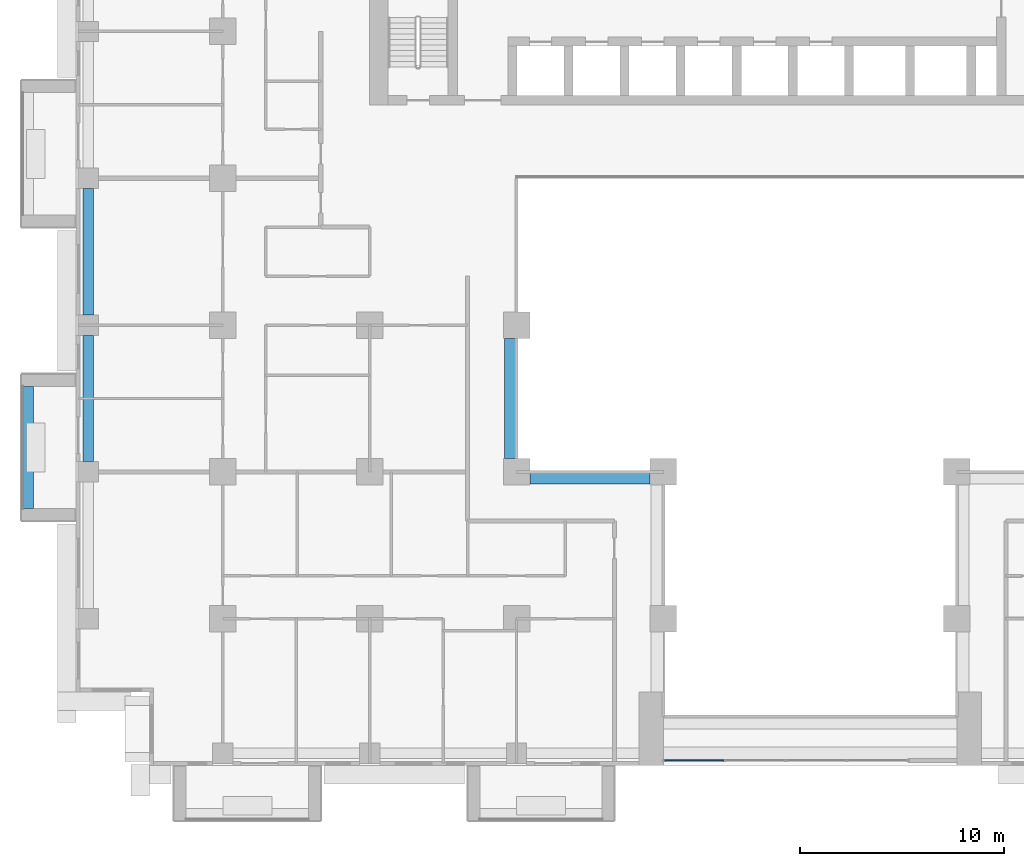
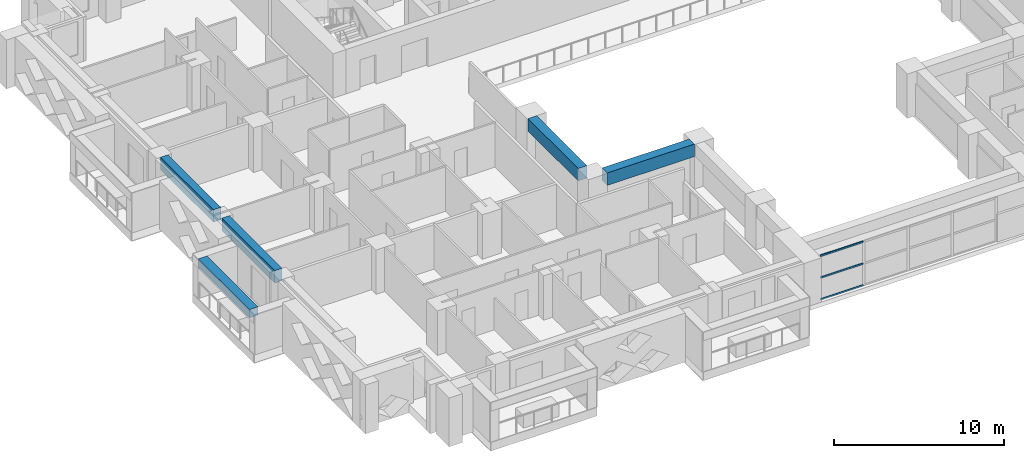
# One storey, part 3 of 17: 5 beams, 3 members, 1 element without a shape of its own.
"""IFC4 building model written with IfcOpenShell, lengths in metres."""

from ifc_helpers import new_model, si_unit, direction, frame, origin, origin_2d, place, context, subcontext, project, spatial, rectangle, extrude, source, transform, mapped, material, layer, layer_set, material_profile, profile_set, type_object, element, aggregate, save


model = new_model("IFC4")

# Units and contexts
model_context = context("Model", 3, precision=1e-05, world=origin(), true_north=direction((0.0, 1.0)))
body_context = subcontext(model_context, "Body", "Model", "MODEL_VIEW")
ifc_project = project(units=[si_unit("LENGTHUNIT", "METRE"), si_unit("AREAUNIT", "SQUARE_METRE"), si_unit("VOLUMEUNIT", "CUBIC_METRE"), si_unit("PLANEANGLEUNIT", "RADIAN"), si_unit("MASSUNIT", "GRAM", prefix="KILO")], contexts=[model_context])

# Site, building, storey
site_placement = place(None, origin())
site = spatial("IfcSite", under=ifc_project, at=site_placement, CompositionType="ELEMENT")
building_placement = place(site_placement, origin())
building = spatial("IfcBuilding", under=site, at=building_placement, Name="Saffron Iwan Residences", CompositionType="ELEMENT")
storey_placement = place(building_placement, frame((0.0, 0.0, 62.0)))
storey = spatial("IfcBuildingStorey", under=building, at=storey_placement, Name="L15", CompositionType="ELEMENT", Elevation=62.0)

# Beams
ifc_material_1 = material(Name="Concrete C60/75", Category="concrete")
ifc_material_profile_1 = material_profile(ifc_material_1, rectangle(XDim=0.5, YDim=0.89990234375, at=origin_2d()), Name="RC 500x900")
ifc_profile_set_1 = profile_set([ifc_material_profile_1], Name="Concrete C60/75")
beam_type_1 = type_object("IfcBeamType", Name="SPANDREL BEAM RC 500x900 C60/75 TOP 3180", PredefinedType="SPANDREL", material=ifc_profile_set_1)
shared_shape_1 = source(origin(), body_context, "Body", "SweptSolid", [
    extrude(rectangle(XDim=0.5, YDim=0.89990234375, at=origin_2d()), origin(), (0.0, 0.0, 1.0), 6.199951171875),
])
for number, where, z_axis, x_axis, name in (
    (1, (15.0, 48.5, 2.72998046875), (0.0, 1.0, 0.0), (-1.0, 0.0, 0.0), "Spandrel beam"),
    (2, (15.0, 55.699951171875, 2.72998046875), (0.0, 1.0, 0.0), (-1.0, 0.0, 0.0), "Spandrel beam"),
):
    element("IfcBeam", number, at=place(storey_placement, frame(where, z_axis=z_axis, x_axis=x_axis)), inside=storey, type_object=beam_type_1, Name=name, PredefinedType="SPANDREL", context=body_context, shape_type="MappedRepresentation", body=[
        mapped(shared_shape_1, transform((0.0, 0.0, 0.0))),
    ])
ifc_material_profile_2 = material_profile(ifc_material_1, rectangle(XDim=0.60009765625, YDim=0.89990234375, at=origin_2d()), Name="RC 600x900")
ifc_profile_set_2 = profile_set([ifc_material_profile_2], Name="Concrete C60/75")
beam_type_2 = type_object("IfcBeamType", Name="BEAM RC 600x900 C60/75 TOP 3180", PredefinedType="BEAM", material=ifc_profile_set_2)
shared_shape_2 = source(origin(), body_context, "Body", "SweptSolid", [
    extrude(rectangle(XDim=0.60009765625, YDim=0.89990234375, at=origin_2d()), origin(), (0.0, 0.0, 1.0), 5.900146484375),
])
for number, where, z_axis, x_axis, name in (
    (3, (42.550048828125, 47.699951171875, 2.72998046875), (-1.0, 0.0, 0.0), (0.0, -1.0, 0.0), "Atrium edge beam"),
    (4, (35.699951171875, 48.64990234375, 2.72998046875), (0.0, 1.0, 0.0), (-1.0, 0.0, 0.0), "Atrium edge beam"),
):
    element("IfcBeam", number, at=place(storey_placement, frame(where, z_axis=z_axis, x_axis=x_axis)), inside=storey, type_object=beam_type_2, Name=name, PredefinedType="BEAM", context=body_context, shape_type="MappedRepresentation", body=[
        mapped(shared_shape_2, transform((0.0, 0.0, 0.0))),
    ])

# Curtain wall, members
ifc_material_2 = material(Name="Clear glass, laminated double glazed", Category="glass")
ifc_layer = layer(ifc_material_2, 0.199951171875)
ifc_layer_set = layer_set([ifc_layer], Name="Clear glass, laminated double glazed")
curtain_wall_type = type_object("IfcCurtainWallType", Name="CW-B IWAN PORTAL", PredefinedType="NOTDEFINED", material=ifc_layer_set)
curtain_wall_placement = place(storey_placement, origin())
curtain_wall = element("IfcCurtainWall", 5, at=curtain_wall_placement, inside=storey, type_object=curtain_wall_type, Name="Iwan portal glazing L15.1", PredefinedType="NOTDEFINED")
ifc_material_3 = material(Name="Aluminium 6063-T6", Category="aluminium")
ifc_material_profile_3 = material_profile(ifc_material_3, rectangle(XDim=0.06005859375, YDim=0.1201171875, at=origin_2d()), Name="CW-B TRANSOM 60 x 120")
ifc_profile_set_3 = profile_set([ifc_material_profile_3], Name="Aluminium 6063-T6")
member_type = type_object("IfcMemberType", Name="CW-B TRANSOM 60 x 120", PredefinedType="USERDEFINED", material=ifc_profile_set_3)
shared_shape_3 = source(origin(), body_context, "Body", "SweptSolid", [
    extrude(rectangle(XDim=0.06005859375, YDim=0.1201171875, at=origin_2d()), origin(), (0.0, 0.0, 1.0), 2.909912109375),
])
member_1_placement = place(storey_placement, frame((43.260009765625, 33.85009765625, 0.030029296875), z_axis=(1.0, 0.0, 0.0), x_axis=(0.0, 1.0, 0.0)))
member_1 = element("IfcMember", 6, at=member_1_placement, type_object=member_type, Name="CW-B transom 1.1", ObjectType="TRANSOM", PredefinedType="USERDEFINED", context=body_context, shape_type="MappedRepresentation", body=[
    mapped(shared_shape_3, transform((0.0, 0.0, 0.0))),
])
member_2_placement = place(storey_placement, frame((43.260009765625, 33.85009765625, 1.590087890625), z_axis=(1.0, 0.0, 0.0), x_axis=(0.0, 1.0, 0.0)))
member_2 = element("IfcMember", 7, at=member_2_placement, type_object=member_type, Name="CW-B transom 1.2", ObjectType="TRANSOM", PredefinedType="USERDEFINED", context=body_context, shape_type="MappedRepresentation", body=[
    mapped(shared_shape_3, transform((0.0, 0.0, 0.0))),
])
member_3_placement = place(storey_placement, frame((43.260009765625, 33.85009765625, 3.14990234375), z_axis=(1.0, 0.0, 0.0), x_axis=(0.0, 1.0, 0.0)))
member_3 = element("IfcMember", 8, at=member_3_placement, type_object=member_type, Name="CW-B transom 1.3", ObjectType="TRANSOM", PredefinedType="USERDEFINED", context=body_context, shape_type="MappedRepresentation", body=[
    mapped(shared_shape_3, transform((0.0, 0.0, 0.0))),
])
aggregate(curtain_wall, [member_1, member_2, member_3])

# Beam
ifc_material_4 = material(Name="Concrete C50/60 white painted", Category="concrete")
ifc_material_profile_4 = material_profile(ifc_material_4, rectangle(XDim=0.60009765625, YDim=0.60009765625, at=origin_2d()), Name="BALCONY FASCIA BEAM 600 x 600")
ifc_profile_set_4 = profile_set([ifc_material_profile_4], Name="Concrete C50/60 white painted")
beam_type_3 = type_object("IfcBeamType", Name="BALCONY FASCIA BEAM 600 x 600", PredefinedType="BEAM", material=ifc_profile_set_4)
shared_shape_4 = source(origin(), body_context, "Body", "SweptSolid", [
    extrude(rectangle(XDim=0.60009765625, YDim=0.60009765625, at=origin_2d()), origin(), (0.0, 0.0, 1.0), 6.0),
])
beam_placement = place(storey_placement, frame((12.0, 52.199951171875, 2.550048828125), z_axis=(0.0, -1.0, 0.0), x_axis=(1.0, 0.0, 0.0)))
element("IfcBeam", 9, at=beam_placement, inside=storey, type_object=beam_type_3, Name="Balcony fascia beam L15 F8-1", PredefinedType="BEAM", context=body_context, shape_type="MappedRepresentation", body=[
    mapped(shared_shape_4, transform((0.0, 0.0, 0.0))),
])

save(model, "model.ifc")
